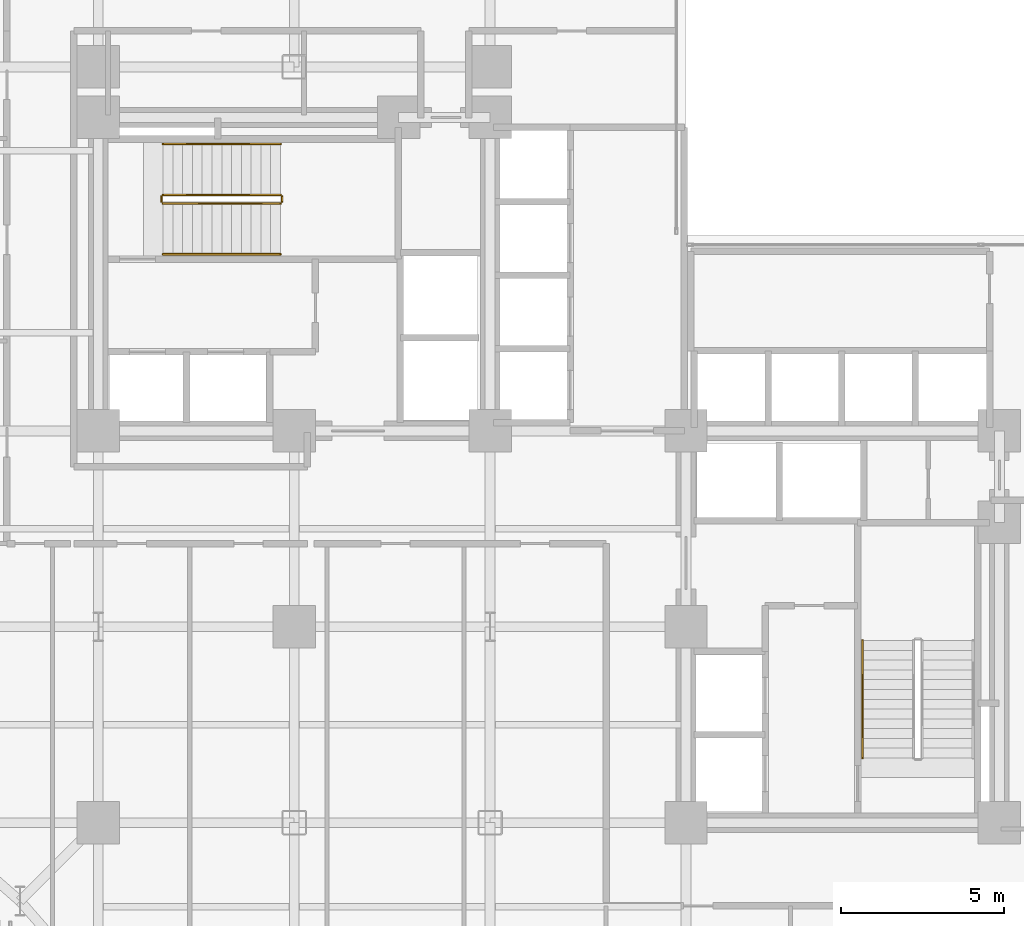
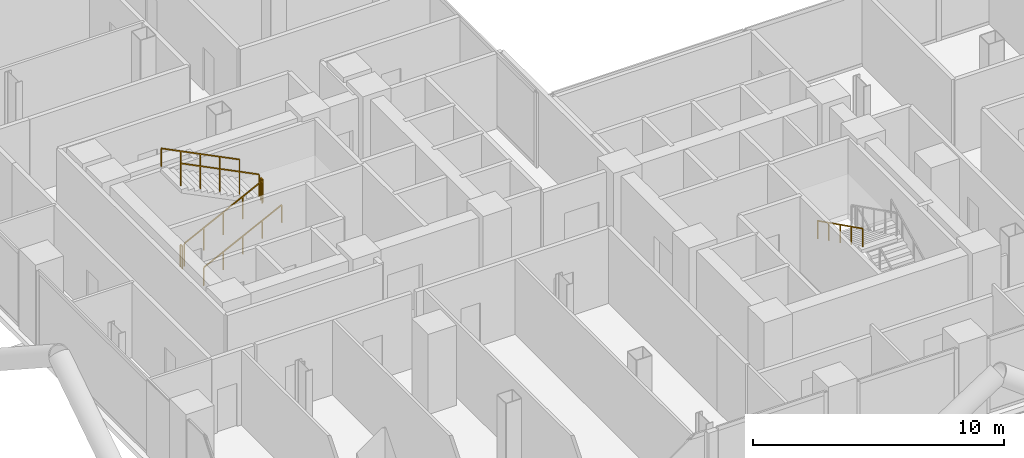
# One storey, part 25 of 27: 7 railings.
"""IFC4 building model written with IfcOpenShell, lengths in metres."""

from ifc_helpers import new_model, si_unit, direction, frame, origin, origin_2d, place, context, subcontext, project, spatial, rectangle, extrude, material, type_object, element, save


model = new_model("IFC4")

# Units and contexts
model_context = context("Model", 3, precision=1e-05, world=origin(), true_north=direction((0.0, 1.0)))
body_context = subcontext(model_context, "Body", "Model", "MODEL_VIEW")
ifc_project = project(units=[si_unit("LENGTHUNIT", "METRE"), si_unit("AREAUNIT", "SQUARE_METRE"), si_unit("VOLUMEUNIT", "CUBIC_METRE"), si_unit("PLANEANGLEUNIT", "RADIAN"), si_unit("MASSUNIT", "GRAM", prefix="KILO"), si_unit("THERMODYNAMICTEMPERATUREUNIT", "KELVIN"), si_unit("POWERUNIT", "WATT")], contexts=[model_context])

# Site, building, storey
site_placement = place(None, origin())
site = spatial("IfcSite", under=ifc_project, at=site_placement, CompositionType="ELEMENT")
building_placement = place(site_placement, origin())
building = spatial("IfcBuilding", under=site, at=building_placement, Name="Svarakhadi Broadcast Tower", CompositionType="ELEMENT")
storey_placement = place(building_placement, frame((0.0, 0.0, 44.10009765625)))
storey = spatial("IfcBuildingStorey", under=building, at=storey_placement, Name="L09", CompositionType="ELEMENT", Elevation=44.10009765625)

# Railings
ifc_material = material(Name="Anodised Bronze Aluminium AA 6063-T6", Category="aluminium")
railing_type_1 = type_object("IfcRailingType", Name="Guard_Stair_GR01", PredefinedType="GUARDRAIL", material=ifc_material)
railing_1_placement = place(storey_placement, frame((7.97998046875, 24.969970703125, 0.14990234375)))
element("IfcRailing", 1, at=railing_1_placement, inside=storey, type_object=railing_type_1, Name="L09 ST-01 stair guard 1", PredefinedType="GUARDRAIL", context=body_context, shape_type="SweptSolid", body=[
    extrude(rectangle(XDim=0.048095703125, YDim=0.048095703125, at=origin_2d()), frame((0.0, 0.0, 1.09619140625), z_axis=(0.894427191, 0.0, 0.4472135955), x_axis=(0.0, 1.0, 0.0)), (0.0, 0.0, 1.0), 4.025146484375),
    extrude(rectangle(XDim=0.0419921875, YDim=0.0419921875, at=origin_2d()), origin(), (0.0, 0.0, 1.0), 1.072021484375),
    extrude(rectangle(XDim=0.0419921875, YDim=0.0419921875, at=origin_2d()), frame((0.89990234375, 0.0, 0.449951171875)), (0.0, 0.0, 1.0), 1.072021484375),
    extrude(rectangle(XDim=0.0419921875, YDim=0.0419921875, at=origin_2d()), frame((1.800048828125, 0.0, 0.89990234375)), (0.0, 0.0, 1.0), 1.072021484375),
    extrude(rectangle(XDim=0.0419921875, YDim=0.0419921875, at=origin_2d()), frame((2.7001953125, 0.0, 1.35009765625)), (0.0, 0.0, 1.0), 1.072021484375),
    extrude(rectangle(XDim=0.0419921875, YDim=0.0419921875, at=origin_2d()), frame((3.60009765625, 0.0, 1.800048828125)), (0.0, 0.0, 1.0), 1.072021484375),
])
railing_2_placement = place(storey_placement, frame((11.6298828125, 25.02001953125, 1.949951171875)))
element("IfcRailing", 2, at=railing_2_placement, inside=storey, type_object=railing_type_1, Name="L09 ST-01 stair guard 2", PredefinedType="GUARDRAIL", context=body_context, shape_type="SweptSolid", body=[
    extrude(rectangle(XDim=0.048095703125, YDim=0.048095703125, at=origin_2d()), frame((0.0, 0.0, 1.09619140625), z_axis=(0.0, 1.0, 0.0), x_axis=(-1.0, 0.0, 0.0)), (0.0, 0.0, 1.0), 0.159912109375),
    extrude(rectangle(XDim=0.0419921875, YDim=0.0419921875, at=origin_2d()), origin(), (0.0, 0.0, 1.0), 1.072021484375),
    extrude(rectangle(XDim=0.0419921875, YDim=0.0419921875, at=origin_2d()), frame((0.0, 0.159912109375, 0.0)), (0.0, 0.0, 1.0), 1.072021484375),
])
railing_3_placement = place(storey_placement, frame((11.580078125, 25.22998046875, 2.099853515625)))
element("IfcRailing", 3, at=railing_3_placement, inside=storey, type_object=railing_type_1, Name="L09 ST-01 stair guard 3", PredefinedType="GUARDRAIL", context=body_context, shape_type="SweptSolid", body=[
    extrude(rectangle(XDim=0.048095703125, YDim=0.048095703125, at=origin_2d()), frame((0.0, 0.0, 1.09619140625), z_axis=(-0.894427191, 0.0, 0.4472135955), x_axis=(0.0, -1.0, 0.0)), (0.0, 0.0, 1.0), 4.025146484375),
    extrude(rectangle(XDim=0.0419921875, YDim=0.0419921875, at=origin_2d()), origin(), (0.0, 0.0, 1.0), 1.072021484375),
    extrude(rectangle(XDim=0.0419921875, YDim=0.0419921875, at=origin_2d()), frame((-0.89990234375, 0.0, 0.449951171875)), (0.0, 0.0, 1.0), 1.072021484375),
    extrude(rectangle(XDim=0.0419921875, YDim=0.0419921875, at=origin_2d()), frame((-1.800048828125, 0.0, 0.89990234375)), (0.0, 0.0, 1.0), 1.072021484375),
    extrude(rectangle(XDim=0.0419921875, YDim=0.0419921875, at=origin_2d()), frame((-2.7001953125, 0.0, 1.35009765625)), (0.0, 0.0, 1.0), 1.072021484375),
    extrude(rectangle(XDim=0.0419921875, YDim=0.0419921875, at=origin_2d()), frame((-3.60009765625, 0.0, 1.800048828125)), (0.0, 0.0, 1.0), 1.072021484375),
])
railing_4_placement = place(storey_placement, frame((7.929931640625, 25.02001953125, 0.0)))
element("IfcRailing", 4, at=railing_4_placement, inside=storey, type_object=railing_type_1, Name="L09 ST-01 stair guard 4", PredefinedType="GUARDRAIL", context=body_context, shape_type="SweptSolid", body=[
    extrude(rectangle(XDim=0.048095703125, YDim=0.048095703125, at=origin_2d()), frame((0.0, 0.0, 1.09619140625), z_axis=(0.0, 1.0, 0.0), x_axis=(-1.0, 0.0, 0.0)), (0.0, 0.0, 1.0), 0.159912109375),
    extrude(rectangle(XDim=0.0419921875, YDim=0.0419921875, at=origin_2d()), origin(), (0.0, 0.0, 1.0), 1.072021484375),
    extrude(rectangle(XDim=0.0419921875, YDim=0.0419921875, at=origin_2d()), frame((0.0, 0.159912109375, 0.0)), (0.0, 0.0, 1.0), 1.072021484375),
])
railing_type_2 = type_object("IfcRailingType", Name="Handrail_Stair_HR01", PredefinedType="HANDRAIL", material=ifc_material)
railing_5_placement = place(storey_placement, frame((7.97998046875, 23.409912109375, 0.14990234375)))
element("IfcRailing", 5, at=railing_5_placement, inside=storey, type_object=railing_type_2, Name="L09 ST-01 stair handrail 1", PredefinedType="HANDRAIL", context=body_context, shape_type="SweptSolid", body=[
    extrude(rectangle(XDim=0.048095703125, YDim=0.048095703125, at=origin_2d()), frame((0.0, 0.0, 0.8759765625), z_axis=(0.894427191, 0.0, 0.4472135955), x_axis=(0.0, 1.0, 0.0)), (0.0, 0.0, 1.0), 4.025146484375),
    extrude(rectangle(XDim=0.0419921875, YDim=0.0419921875, at=origin_2d()), origin(), (0.0, 0.0, 1.0), 0.851806640625),
    extrude(rectangle(XDim=0.0419921875, YDim=0.0419921875, at=origin_2d()), frame((0.89990234375, 0.0, 0.449951171875)), (0.0, 0.0, 1.0), 0.851806640625),
    extrude(rectangle(XDim=0.0419921875, YDim=0.0419921875, at=origin_2d()), frame((1.800048828125, 0.0, 0.89990234375)), (0.0, 0.0, 1.0), 0.851806640625),
    extrude(rectangle(XDim=0.0419921875, YDim=0.0419921875, at=origin_2d()), frame((2.7001953125, 0.0, 1.35009765625)), (0.0, 0.0, 1.0), 0.851806640625),
    extrude(rectangle(XDim=0.0419921875, YDim=0.0419921875, at=origin_2d()), frame((3.60009765625, 0.0, 1.800048828125)), (0.0, 0.0, 1.0), 0.851806640625),
])
railing_6_placement = place(storey_placement, frame((11.580078125, 26.7900390625, 2.099853515625)))
element("IfcRailing", 6, at=railing_6_placement, inside=storey, type_object=railing_type_2, Name="L09 ST-01 stair handrail 2", PredefinedType="HANDRAIL", context=body_context, shape_type="SweptSolid", body=[
    extrude(rectangle(XDim=0.048095703125, YDim=0.048095703125, at=origin_2d()), frame((0.0, 0.0, 0.8759765625), z_axis=(-0.894427191, 0.0, 0.4472135955), x_axis=(0.0, -1.0, 0.0)), (0.0, 0.0, 1.0), 4.025146484375),
    extrude(rectangle(XDim=0.0419921875, YDim=0.0419921875, at=origin_2d()), origin(), (0.0, 0.0, 1.0), 0.851806640625),
    extrude(rectangle(XDim=0.0419921875, YDim=0.0419921875, at=origin_2d()), frame((-0.89990234375, 0.0, 0.449951171875)), (0.0, 0.0, 1.0), 0.851806640625),
    extrude(rectangle(XDim=0.0419921875, YDim=0.0419921875, at=origin_2d()), frame((-1.800048828125, 0.0, 0.89990234375)), (0.0, 0.0, 1.0), 0.851806640625),
    extrude(rectangle(XDim=0.0419921875, YDim=0.0419921875, at=origin_2d()), frame((-2.7001953125, 0.0, 1.35009765625)), (0.0, 0.0, 1.0), 0.851806640625),
    extrude(rectangle(XDim=0.0419921875, YDim=0.0419921875, at=origin_2d()), frame((-3.60009765625, 0.0, 1.800048828125)), (0.0, 0.0, 1.0), 0.851806640625),
])
railing_7_placement = place(storey_placement, frame((29.409912109375, 11.580078125, 2.099853515625)))
element("IfcRailing", 7, at=railing_7_placement, inside=storey, type_object=railing_type_2, Name="L09 ST-02 stair handrail 2", PredefinedType="HANDRAIL", context=body_context, shape_type="SweptSolid", body=[
    extrude(rectangle(XDim=0.048095703125, YDim=0.048095703125, at=origin_2d()), frame((0.0, 0.0, 0.8759765625), z_axis=(0.0, -0.894427191, 0.4472135955), x_axis=(1.0, 0.0, 0.0)), (0.0, 0.0, 1.0), 4.025146484375),
    extrude(rectangle(XDim=0.0419921875, YDim=0.0419921875, at=origin_2d()), origin(), (0.0, 0.0, 1.0), 0.851806640625),
    extrude(rectangle(XDim=0.0419921875, YDim=0.0419921875, at=origin_2d()), frame((0.0, -0.89990234375, 0.449951171875)), (0.0, 0.0, 1.0), 0.851806640625),
    extrude(rectangle(XDim=0.0419921875, YDim=0.0419921875, at=origin_2d()), frame((0.0, -1.800048828125, 0.89990234375)), (0.0, 0.0, 1.0), 0.851806640625),
    extrude(rectangle(XDim=0.0419921875, YDim=0.0419921875, at=origin_2d()), frame((0.0, -2.7001953125, 1.35009765625)), (0.0, 0.0, 1.0), 0.851806640625),
    extrude(rectangle(XDim=0.0419921875, YDim=0.0419921875, at=origin_2d()), frame((0.0, -3.60009765625, 1.800048828125)), (0.0, 0.0, 1.0), 0.851806640625),
])

save(model, "model.ifc")
